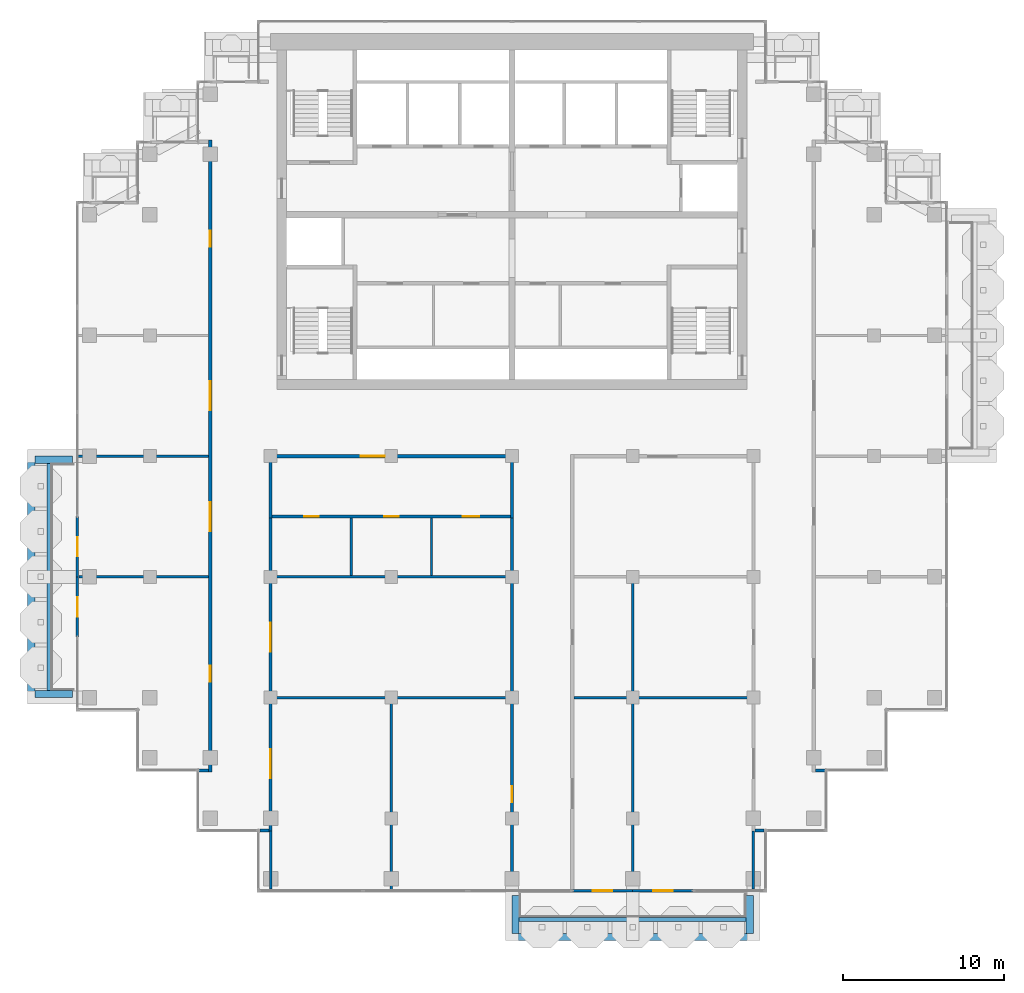
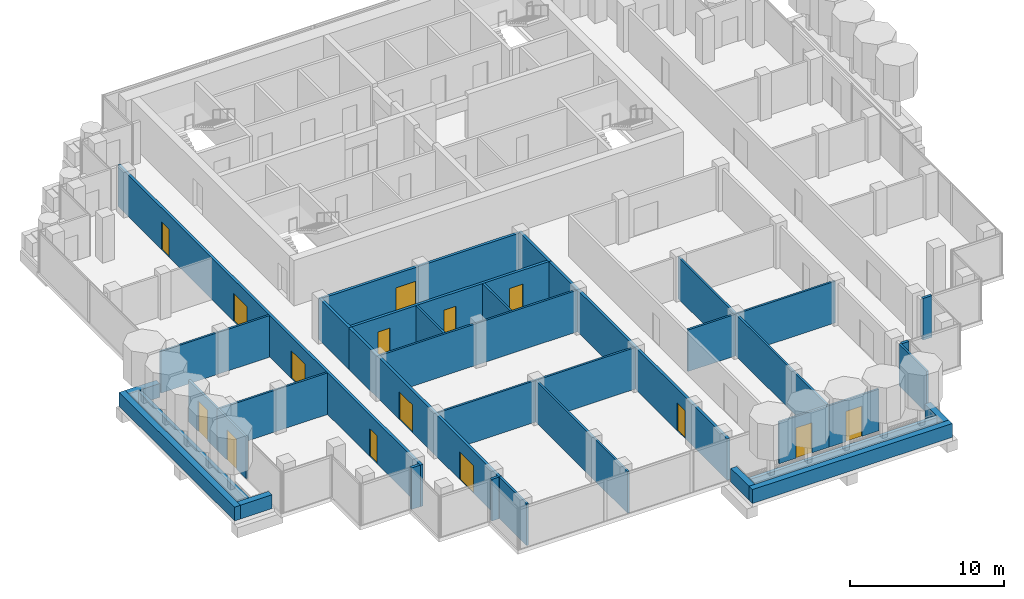
# One storey, part 11 of 18: 34 walls, 15 doors, 15 openings.
"""IFC4 building model written with IfcOpenShell, lengths in metres."""

import ifcopenshell
import ifcopenshell.guid

model = None  # the IFC model being written
_history = None  # IfcOwnerHistory: only IFC2X3 demands one
_inside = {}  # id of a spatial element -> (the spatial element, [elements in it])
_under = {}  # id of a project, library or spatial element -> (it, [spatial elements below it])
_declared = {}  # id of a project -> (the project, [libraries it declares])
_typed = {}  # id of a type object -> (the type object, [elements of that type])
_made_of = {}  # id of a material, layer set ... -> (it, [elements and type objects made of it])


def new_model(schema):
    """Start an empty IFC model of exactly this schema.

    Asked for "IFC4X3", IfcOpenShell would pick the latest addendum, in which some entities
    have other attributes; the version numbers below select the first issue.
    IFC2X3 requires an IfcOwnerHistory on every rooted entity: one is made here for all.
    """
    global model, _history
    if schema == "IFC4X3":
        model = ifcopenshell.file(schema_version=(4, 3, 0, 0))
    else:
        model = ifcopenshell.file(schema=schema)
    _inside.clear()
    _under.clear()
    _declared.clear()
    _typed.clear()
    _made_of.clear()
    _history = None
    if model.schema == "IFC2X3":
        org = make("IfcOrganization", Name="unknown")
        user = make(
            "IfcPersonAndOrganization",
            ThePerson=make("IfcPerson", FamilyName="unknown"),
            TheOrganization=org,
        )
        app = make(
            "IfcApplication",
            ApplicationDeveloper=org,
            Version="unknown",
            ApplicationFullName="unknown",
            ApplicationIdentifier="unknown",
        )
        _history = make(
            "IfcOwnerHistory",
            OwningUser=user,
            OwningApplication=app,
            ChangeAction="ADDED",
            CreationDate=0,
        )
    return model


def make(cls, **values):
    """One entity of the class cls with the attributes given. An attribute that is None is left unset."""
    return model.create_entity(
        cls, **{name: value for name, value in values.items() if value is not None}
    )


def rooted(cls, **values):
    """An entity with a GlobalId (a new one), such as an element, a storey or a relation."""
    return make(cls, GlobalId=ifcopenshell.guid.new(), OwnerHistory=_history, **values)


def si_unit(unit_type, name, prefix=None):
    """IfcSIUnit, for example si_unit("LENGTHUNIT", "METRE", prefix="MILLI")."""
    return make("IfcSIUnit", UnitType=unit_type, Prefix=prefix, Name=name)


def assignment(units):
    """IfcUnitAssignment: the units of a project."""
    return None if units is None else make("IfcUnitAssignment", Units=units)


def point(xyz):
    """IfcCartesianPoint."""
    return None if xyz is None else make("IfcCartesianPoint", Coordinates=xyz)


def direction(xyz):
    """IfcDirection."""
    return None if xyz is None else make("IfcDirection", DirectionRatios=xyz)


def frame(location, z_axis=None, x_axis=None):
    """IfcAxis2Placement3D, a coordinate frame: its origin and axes. An axis left out is left unset."""
    return make(
        "IfcAxis2Placement3D",
        Location=point(location),
        Axis=direction(z_axis),
        RefDirection=direction(x_axis),
    )


def frame_2d(location, x_axis=None):
    """IfcAxis2Placement2D, a coordinate frame in the plane: its origin and x axis."""
    return make(
        "IfcAxis2Placement2D", Location=point(location), RefDirection=direction(x_axis)
    )


def origin():
    """The frame at (0, 0, 0) with its axes left unset."""
    return frame((0.0, 0.0, 0.0))


def place(relative_to, where):
    """IfcLocalPlacement: puts the frame where relative to a parent placement (None: the world)."""
    return make(
        "IfcLocalPlacement", PlacementRelTo=relative_to, RelativePlacement=where
    )


def context(
    kind, dimensions, precision=None, world=None, true_north=None, identifier=None
):
    """IfcGeometricRepresentationContext, for example the 3D "Model" context."""
    return make(
        "IfcGeometricRepresentationContext",
        ContextIdentifier=identifier,
        ContextType=kind,
        CoordinateSpaceDimension=dimensions,
        Precision=precision,
        WorldCoordinateSystem=world,
        TrueNorth=true_north,
    )


def subcontext(parent, identifier, kind, view, scale=None):
    """IfcGeometricRepresentationSubContext, for example "Body" below "Model"."""
    return make(
        "IfcGeometricRepresentationSubContext",
        ContextIdentifier=identifier,
        ContextType=kind,
        ParentContext=parent,
        TargetScale=scale,
        TargetView=view,
    )


def project(units=None, contexts=None):
    """IfcProject with its units and contexts."""
    return rooted(
        "IfcProject",
        Name="project",
        RepresentationContexts=contexts,
        UnitsInContext=assignment(units),
    )


def spatial(cls, under=None, at=None, **own):
    """A site, building, storey or space (cls), placed at a placement, below another one or the project."""
    s = rooted(cls, ObjectPlacement=at, **own)
    if under is not None:
        _under.setdefault(under.id(), (under, []))[1].append(s)
    return s


def profile(cls, at=None, kind="AREA", **sizes):
    """A parametric profile (cls). Its sizes go by their IFC names, for example OverallWidth=200.0."""
    return make(cls, ProfileType=kind, Position=at, **sizes)


def rectangle(**sizes):
    """IfcRectangleProfileDef."""
    return profile("IfcRectangleProfileDef", **sizes)


def extrude(swept, where, along, depth):
    """IfcExtrudedAreaSolid: the profile swept, set in the frame where, extruded along a direction by depth."""
    return make(
        "IfcExtrudedAreaSolid",
        SweptArea=swept,
        Position=where,
        ExtrudedDirection=direction(along),
        Depth=depth,
    )


def shape(context_of_items, identifier, shape_type, items):
    """IfcShapeRepresentation: the items that make up one representation, for example the "Body"."""
    return make(
        "IfcShapeRepresentation",
        ContextOfItems=context_of_items,
        RepresentationIdentifier=identifier,
        RepresentationType=shape_type,
        Items=items,
    )


def material(Name=None, Category=None):
    """IfcMaterial."""
    return make("IfcMaterial", Name=Name, Category=Category)


def layer(
    of_material, thickness, ventilated=None, Name=None, Category=None, Priority=None
):
    """IfcMaterialLayer: one layer of a wall or slab, of a material (None: an air gap)."""
    return make(
        "IfcMaterialLayer",
        Material=of_material,
        LayerThickness=thickness,
        IsVentilated=ventilated,
        Name=Name,
        Category=Category,
        Priority=Priority,
    )


def layer_set(layers, Name=None):
    """IfcMaterialLayerSet."""
    return make("IfcMaterialLayerSet", MaterialLayers=layers, LayerSetName=Name)


def made_of(thing, what):
    """Note that an element or type object is made of a material, layer set ...; save() writes the relation."""
    if what is not None:
        _made_of.setdefault(what.id(), (what, []))[1].append(thing)
    return thing


def type_object(cls, material=None, **own):
    """A type object (cls), such as IfcWallType, which elements share."""
    return made_of(rooted(cls, **own), material)


def element(
    cls,
    number,
    at=None,
    inside=None,
    cuts=None,
    type_object=None,
    material=None,
    context=None,
    identifier="Body",
    shape_type=None,
    held_by="IfcProductDefinitionShape",
    body=None,
    shapes=None,
    **own,
):
    """One element of the class cls, such as IfcWall. Its Tag is "e" and its number.

    at: its placement. inside: the storey or other place that contains it. cuts: it is an
    opening in that element (IfcRelVoidsElement). A single representation is given by context,
    identifier, shape_type and body (its items); several are given by shapes. held_by: the class
    of the entity that holds the representations. save() writes the other relations.
    """
    e = rooted(cls, Tag="e%d" % number, ObjectPlacement=at, **own)
    if body is not None:
        shapes = [shape(context, identifier, shape_type, body)]
    if shapes is not None:
        e.Representation = make(held_by, Representations=shapes)
    if inside is not None:
        _inside.setdefault(inside.id(), (inside, []))[1].append(e)
    if cuts is not None:
        rooted(
            "IfcRelVoidsElement", RelatingBuildingElement=cuts, RelatedOpeningElement=e
        )
    if type_object is not None:
        _typed.setdefault(type_object.id(), (type_object, []))[1].append(e)
    return made_of(e, material)


def fill(opening, filler):
    """IfcRelFillsElement: the door or window that sits in an opening."""
    return rooted(
        "IfcRelFillsElement",
        RelatingOpeningElement=opening,
        RelatedBuildingElement=filler,
    )


def aggregate(whole, parts):
    """IfcRelAggregates: a whole, such as a stair, and the parts it consists of."""
    return rooted("IfcRelAggregates", RelatingObject=whole, RelatedObjects=parts)


def save(model, path):
    """Write the relations noted so far, then the file.

    IfcRelAggregates (storeys below a building ...), IfcRelContainedInSpatialStructure (elements
    in a storey), IfcRelDefinesByType, IfcRelAssociatesMaterial and IfcRelDeclares: one each for
    every whole, place, type object, material and project.
    """
    for whole, parts in _under.values():
        aggregate(whole, parts)
    for where, things in _inside.values():
        rooted(
            "IfcRelContainedInSpatialStructure",
            RelatedElements=things,
            RelatingStructure=where,
        )
    for kind, things in _typed.values():
        rooted("IfcRelDefinesByType", RelatedObjects=things, RelatingType=kind)
    for what, things in _made_of.values():
        rooted("IfcRelAssociatesMaterial", RelatedObjects=things, RelatingMaterial=what)
    for by, libraries in _declared.values():
        rooted("IfcRelDeclares", RelatingContext=by, RelatedDefinitions=libraries)
    model.write(path)


model = new_model("IFC4")

# Units and contexts
model_context = context("Model", 3, precision=1e-05, world=origin(), true_north=direction((0.0, 1.0)))
body_context = subcontext(model_context, "Body", "Model", "MODEL_VIEW")
ifc_project = project(units=[si_unit("LENGTHUNIT", "METRE"), si_unit("AREAUNIT", "SQUARE_METRE"), si_unit("VOLUMEUNIT", "CUBIC_METRE"), si_unit("PLANEANGLEUNIT", "RADIAN"), si_unit("MASSUNIT", "GRAM", prefix="KILO")], contexts=[model_context])

# Site, building, storey
site_placement = place(None, origin())
site = spatial("IfcSite", under=ifc_project, at=site_placement, CompositionType="ELEMENT")
building_placement = place(site_placement, origin())
building = spatial("IfcBuilding", under=site, at=building_placement, Name="Pilkhan Gate Tower", CompositionType="ELEMENT")
storey_placement = place(building_placement, frame((0.0, 0.0, 231.89990234375)))
storey = spatial("IfcBuildingStorey", under=building, at=storey_placement, Name="L60", CompositionType="ELEMENT", Elevation=231.89990234375)

# Walls
ifc_material_1 = material(Name="Concrete C40/50", Category="concrete")
ifc_layer_1 = layer(ifc_material_1, 0.25)
ifc_layer_set_1 = layer_set([ifc_layer_1], Name="Balcony planter BP250")
wall_type_1 = type_object("IfcWallType", Name="Balcony planter BP250", PredefinedType="USERDEFINED", material=ifc_layer_set_1)
for number, where, z_axis, x_axis, name in (
    (1, (75.449951171875, 38.72509765625, 0.0), (0.0, 0.0, 1.0), (1.0, 0.0, 0.0), "Balcony planter L60 S"),
    (2, (46.22509765625, 52.949951171875, 0.0), (0.0, 0.0, 1.0), (0.0, 1.0, 0.0), "Balcony planter L60 W"),
):
    element("IfcWall", number, at=place(storey_placement, frame(where, z_axis=z_axis, x_axis=x_axis)), inside=storey, type_object=wall_type_1, Name=name, ObjectType="BALCONY PLANTER", PredefinedType="USERDEFINED", context=body_context, shape_type="SweptSolid", body=[
        extrude(rectangle(XDim=14.10009765625, YDim=0.25, at=frame_2d((7.050048828125, 0.0))), origin(), (0.0, 0.0, 1.0), 1.0),
    ])
ifc_material_2 = material(Name="Board-marked Concrete C40/50", Category="concrete")
ifc_layer_2 = layer(ifc_material_2, 0.449951171875)
ifc_layer_set_2 = layer_set([ifc_layer_2], Name="Balcony planter lip BL450")
wall_type_2 = type_object("IfcWallType", Name="Balcony planter lip BL450", PredefinedType="USERDEFINED", material=ifc_layer_set_2)
wall_1_placement = place(storey_placement, frame((75.0, 37.625, 0.0), z_axis=(0.0, 0.0, 1.0), x_axis=(1.0, 0.0, 0.0)))
element("IfcWall", 3, at=wall_1_placement, inside=storey, type_object=wall_type_2, Name="Balcony planter L60 S", ObjectType="BALCONY PLANTER", PredefinedType="USERDEFINED", context=body_context, shape_type="SweptSolid", body=[
    extrude(rectangle(XDim=15.0, YDim=0.449951171875, at=frame_2d((7.5, 0.0))), origin(), (0.0, 0.0, 1.0), 1.10009765625),
])
for number, where, z_axis, x_axis, name in (
    (4, (75.22509765625, 40.199951171875, 0.0), (0.0, 0.0, 1.0), (0.0, -1.0, 0.0), "Balcony planter L60 S"),
    (5, (89.77490234375, 40.199951171875, 0.0), (0.0, 0.0, 1.0), (0.0, -1.0, 0.0), "Balcony planter L60 S"),
):
    element("IfcWall", number, at=place(storey_placement, frame(where, z_axis=z_axis, x_axis=x_axis)), inside=storey, type_object=wall_type_2, Name=name, ObjectType="BALCONY PLANTER", PredefinedType="USERDEFINED", context=body_context, shape_type="SweptSolid", body=[
        extrude(rectangle(XDim=2.349853515625, YDim=0.449951171875, at=frame_2d((1.1748046875, 0.0))), origin(), (0.0, 0.0, 1.0), 1.10009765625),
    ])
wall_2_placement = place(storey_placement, frame((45.125, 52.5, 0.0), z_axis=(0.0, 0.0, 1.0), x_axis=(0.0, 1.0, 0.0)))
element("IfcWall", 6, at=wall_2_placement, inside=storey, type_object=wall_type_2, Name="Balcony planter L60 W", ObjectType="BALCONY PLANTER", PredefinedType="USERDEFINED", context=body_context, shape_type="SweptSolid", body=[
    extrude(rectangle(XDim=15.0, YDim=0.449951171875, at=frame_2d((7.5, 0.0))), origin(), (0.0, 0.0, 1.0), 1.10009765625),
])
for number, where, z_axis, x_axis, name in (
    (7, (47.699951171875, 52.72509765625, 0.0), (0.0, 0.0, 1.0), (-1.0, 0.0, 0.0), "Balcony planter L60 W"),
    (8, (47.699951171875, 67.27490234375, 0.0), (0.0, 0.0, 1.0), (-1.0, 0.0, 0.0), "Balcony planter L60 W"),
):
    element("IfcWall", number, at=place(storey_placement, frame(where, z_axis=z_axis, x_axis=x_axis)), inside=storey, type_object=wall_type_2, Name=name, ObjectType="BALCONY PLANTER", PredefinedType="USERDEFINED", context=body_context, shape_type="SweptSolid", body=[
        extrude(rectangle(XDim=2.349853515625, YDim=0.449951171875, at=frame_2d((1.1748046875, 0.0))), origin(), (0.0, 0.0, 1.0), 1.10009765625),
    ])
ifc_material_3 = material(Name="Dense blockwork", Category="masonry")
ifc_layer_3 = layer(ifc_material_3, 0.199951171875)
ifc_layer_set_3 = layer_set([ifc_layer_3], Name="Corridor wall FW200")
wall_type_3 = type_object("IfcWallType", Name="Corridor wall FW200", PredefinedType="PARTITIONING", material=ifc_layer_set_3)
for number, where, z_axis, x_axis, name in (
    (9, (59.35498046875, 44.235107421875, 0.0), (0.0, 0.0, 1.0), (1.0, 0.0, 0.0), "Partition L60"),
    (10, (90.10009765625, 44.235107421875, 0.0), (0.0, 0.0, 1.0), (1.0, 0.0, 0.0), "Partition L60"),
):
    element("IfcWall", number, at=place(storey_placement, frame(where, z_axis=z_axis, x_axis=x_axis)), inside=storey, type_object=wall_type_3, Name=name, PredefinedType="PARTITIONING", context=body_context, shape_type="SweptSolid", body=[
        extrude(rectangle(XDim=0.544921875, YDim=0.199951171875, at=frame_2d((0.2724609375, 0.0))), origin(), (0.0, 0.0, 1.0), 3.300048828125),
    ])
for number, where, z_axis, x_axis, name in (
    (11, (55.485107421875, 47.969970703125, 0.0), (0.0, 0.0, 1.0), (1.0, 0.0, 0.0), "Partition L60"),
    (12, (93.85009765625, 47.969970703125, 0.0), (0.0, 0.0, 1.0), (1.0, 0.0, 0.0), "Partition L60"),
):
    element("IfcWall", number, at=place(storey_placement, frame(where, z_axis=z_axis, x_axis=x_axis)), inside=storey, type_object=wall_type_3, Name=name, PredefinedType="PARTITIONING", context=body_context, shape_type="SweptSolid", body=[
        extrude(rectangle(XDim=0.664794921875, YDim=0.199951171875, at=frame_2d((0.33251953125, 0.0))), origin(), (0.0, 0.0, 1.0), 3.300048828125),
    ])

# Wall, openings, doors
wall_3_placement = place(storey_placement, frame((56.25, 47.8701171875, 0.0), z_axis=(0.0, 0.0, 1.0), x_axis=(0.0, 1.0, 0.0)))
wall_3 = element("IfcWall", 13, at=wall_3_placement, inside=storey, type_object=wall_type_3, Name="Partition L60", PredefinedType="PARTITIONING", context=body_context, shape_type="SweptSolid", body=[
    extrude(rectangle(XDim=39.259765625, YDim=0.199951171875, at=frame_2d((19.6298828125, 0.0))), origin(), (0.0, 0.0, 1.0), 3.300048828125),
])
opening_1_placement = place(wall_3_placement, frame((5.60009765625, 0.0, 0.0)))
opening_1 = element("IfcOpeningElement", 14, at=opening_1_placement, cuts=wall_3, Name="Opening L60-24", PredefinedType="OPENING", context=body_context, shape_type="SweptSolid", body=[
    extrude(rectangle(XDim=1.0, YDim=2.199951171875, at=frame_2d((0.5, 1.10009765625))), frame((0.0, 0.10986328125, 0.0), z_axis=(0.0, -1.0, 0.0), x_axis=(1.0, 0.0, 0.0)), (0.0, 0.0, 1.0), 0.219970703125),
])
opening_2_placement = place(wall_3_placement, frame((14.97998046875, 0.0, 0.0)))
opening_2 = element("IfcOpeningElement", 15, at=opening_2_placement, cuts=wall_3, Name="Opening L60-25", PredefinedType="OPENING", context=body_context, shape_type="SweptSolid", body=[
    extrude(rectangle(XDim=1.800048828125, YDim=2.199951171875, at=frame_2d((0.89990234375, 1.10009765625))), frame((0.0, 0.10986328125, 0.0), z_axis=(0.0, -1.0, 0.0), x_axis=(1.0, 0.0, 0.0)), (0.0, 0.0, 1.0), 0.219970703125),
])
opening_3_placement = place(wall_3_placement, frame((22.47998046875, 0.0, 0.0)))
opening_3 = element("IfcOpeningElement", 16, at=opening_3_placement, cuts=wall_3, Name="Opening L60-26", PredefinedType="OPENING", context=body_context, shape_type="SweptSolid", body=[
    extrude(rectangle(XDim=1.800048828125, YDim=2.199951171875, at=frame_2d((0.89990234375, 1.10009765625))), frame((0.0, 0.10986328125, 0.0), z_axis=(0.0, -1.0, 0.0), x_axis=(1.0, 0.0, 0.0)), (0.0, 0.0, 1.0), 0.219970703125),
])
opening_4_placement = place(wall_3_placement, frame((32.6298828125, 0.0, 0.0)))
opening_4 = element("IfcOpeningElement", 17, at=opening_4_placement, cuts=wall_3, Name="Opening L60-30", PredefinedType="OPENING", context=body_context, shape_type="SweptSolid", body=[
    extrude(rectangle(XDim=1.0, YDim=2.199951171875, at=frame_2d((0.5, 1.10009765625))), frame((0.0, 0.10986328125, 0.0), z_axis=(0.0, -1.0, 0.0), x_axis=(1.0, 0.0, 0.0)), (0.0, 0.0, 1.0), 0.219970703125),
])
ifc_material_4 = material(Name="Timber glazed double door, 30 minute fire resisting", Category="wood")
door_type_1 = type_object("IfcDoorType", Name="Double door D04 1800x2200", OperationType="DOUBLE_DOOR_SINGLE_SWING", PredefinedType="DOOR", material=ifc_material_4)
door_1_placement = place(opening_2_placement, origin())
door_1 = element("IfcDoor", 18, at=door_1_placement, inside=storey, type_object=door_type_1, Name="Double door", OperationType="DOUBLE_DOOR_SINGLE_SWING", OverallHeight=2.199951171875, OverallWidth=1.800048828125, PredefinedType="DOOR", context=body_context, shape_type="SweptSolid", body=[
    extrude(rectangle(XDim=1.800048828125, YDim=2.199951171875, at=frame_2d((0.89990234375, 1.10009765625))), frame((0.0, 0.02490234375, 0.0), z_axis=(0.0, -1.0, 0.0), x_axis=(1.0, 0.0, 0.0)), (0.0, 0.0, 1.0), 0.050048828125),
])
fill(opening_2, door_1)
door_2_placement = place(opening_3_placement, origin())
door_2 = element("IfcDoor", 19, at=door_2_placement, inside=storey, type_object=door_type_1, Name="Double door", OperationType="DOUBLE_DOOR_SINGLE_SWING", OverallHeight=2.199951171875, OverallWidth=1.800048828125, PredefinedType="DOOR", context=body_context, shape_type="SweptSolid", body=[
    extrude(rectangle(XDim=1.800048828125, YDim=2.199951171875, at=frame_2d((0.89990234375, 1.10009765625))), frame((0.0, 0.02490234375, 0.0), z_axis=(0.0, -1.0, 0.0), x_axis=(1.0, 0.0, 0.0)), (0.0, 0.0, 1.0), 0.050048828125),
])
fill(opening_3, door_2)
ifc_material_5 = material(Name="Timber flush door, 30 minute fire resisting", Category="wood")
door_type_2 = type_object("IfcDoorType", Name="Room door D03 1000x2200", OperationType="SINGLE_SWING_LEFT", PredefinedType="DOOR", material=ifc_material_5)
door_3_placement = place(opening_1_placement, origin())
door_3 = element("IfcDoor", 20, at=door_3_placement, inside=storey, type_object=door_type_2, Name="Room door", OperationType="SINGLE_SWING_LEFT", OverallHeight=2.199951171875, OverallWidth=1.0, PredefinedType="DOOR", context=body_context, shape_type="SweptSolid", body=[
    extrude(rectangle(XDim=1.0, YDim=2.199951171875, at=frame_2d((0.5, 1.10009765625))), frame((0.0, 0.02490234375, 0.0), z_axis=(0.0, -1.0, 0.0), x_axis=(1.0, 0.0, 0.0)), (0.0, 0.0, 1.0), 0.050048828125),
])
fill(opening_1, door_3)
door_4_placement = place(opening_4_placement, origin())
door_4 = element("IfcDoor", 21, at=door_4_placement, inside=storey, type_object=door_type_2, Name="Room door", OperationType="SINGLE_SWING_LEFT", OverallHeight=2.199951171875, OverallWidth=1.0, PredefinedType="DOOR", context=body_context, shape_type="SweptSolid", body=[
    extrude(rectangle(XDim=1.0, YDim=2.199951171875, at=frame_2d((0.5, 1.10009765625))), frame((0.0, 0.02490234375, 0.0), z_axis=(0.0, -1.0, 0.0), x_axis=(1.0, 0.0, 0.0)), (0.0, 0.0, 1.0), 0.050048828125),
])
fill(opening_4, door_4)

wall_4_placement = place(storey_placement, frame((60.0, 44.135009765625, 0.0), z_axis=(0.0, 0.0, 1.0), x_axis=(0.0, 1.0, 0.0)))
wall_4 = element("IfcWall", 22, at=wall_4_placement, inside=storey, type_object=wall_type_3, Name="Partition L60", PredefinedType="PARTITIONING", context=body_context, shape_type="SweptSolid", body=[
    extrude(rectangle(XDim=19.614990234375, YDim=0.199951171875, at=frame_2d((9.8076171875, 0.0))), origin(), (0.0, 0.0, 1.0), 3.300048828125),
])
opening_5_placement = place(wall_4_placement, frame((3.35009765625, 0.0, 0.0)))
opening_5 = element("IfcOpeningElement", 23, at=opening_5_placement, cuts=wall_4, Name="Opening L60-16", PredefinedType="OPENING", context=body_context, shape_type="SweptSolid", body=[
    extrude(rectangle(XDim=1.800048828125, YDim=2.199951171875, at=frame_2d((0.89990234375, 1.10009765625))), frame((0.0, 0.10986328125, 0.0), z_axis=(0.0, -1.0, 0.0), x_axis=(1.0, 0.0, 0.0)), (0.0, 0.0, 1.0), 0.219970703125),
])
opening_6_placement = place(wall_4_placement, frame((11.215087890625, 0.0, 0.0)))
opening_6 = element("IfcOpeningElement", 24, at=opening_6_placement, cuts=wall_4, Name="Opening L60-18", PredefinedType="OPENING", context=body_context, shape_type="SweptSolid", body=[
    extrude(rectangle(XDim=1.800048828125, YDim=2.199951171875, at=frame_2d((0.89990234375, 1.10009765625))), frame((0.0, 0.10986328125, 0.0), z_axis=(0.0, -1.0, 0.0), x_axis=(1.0, 0.0, 0.0)), (0.0, 0.0, 1.0), 0.219970703125),
])
door_5_placement = place(opening_5_placement, origin())
door_5 = element("IfcDoor", 25, at=door_5_placement, inside=storey, type_object=door_type_1, Name="Double door", OperationType="DOUBLE_DOOR_SINGLE_SWING", OverallHeight=2.199951171875, OverallWidth=1.800048828125, PredefinedType="DOOR", context=body_context, shape_type="SweptSolid", body=[
    extrude(rectangle(XDim=1.800048828125, YDim=2.199951171875, at=frame_2d((0.89990234375, 1.10009765625))), frame((0.0, 0.02490234375, 0.0), z_axis=(0.0, -1.0, 0.0), x_axis=(1.0, 0.0, 0.0)), (0.0, 0.0, 1.0), 0.050048828125),
])
fill(opening_5, door_5)
door_6_placement = place(opening_6_placement, origin())
door_6 = element("IfcDoor", 26, at=door_6_placement, inside=storey, type_object=door_type_1, Name="Double door", OperationType="DOUBLE_DOOR_SINGLE_SWING", OverallHeight=2.199951171875, OverallWidth=1.800048828125, PredefinedType="DOOR", context=body_context, shape_type="SweptSolid", body=[
    extrude(rectangle(XDim=1.800048828125, YDim=2.199951171875, at=frame_2d((0.89990234375, 1.10009765625))), frame((0.0, 0.02490234375, 0.0), z_axis=(0.0, -1.0, 0.0), x_axis=(1.0, 0.0, 0.0)), (0.0, 0.0, 1.0), 0.050048828125),
])
fill(opening_6, door_6)

# Wall, opening, door
wall_5_placement = place(storey_placement, frame((75.0, 40.485107421875, 0.0), z_axis=(0.0, 0.0, 1.0), x_axis=(0.0, 1.0, 0.0)))
wall_5 = element("IfcWall", 27, at=wall_5_placement, inside=storey, type_object=wall_type_3, Name="Partition L60", PredefinedType="PARTITIONING", context=body_context, shape_type="SweptSolid", body=[
    extrude(rectangle(XDim=23.264892578125, YDim=0.199951171875, at=frame_2d((11.63232421875, 0.0))), origin(), (0.0, 0.0, 1.0), 3.300048828125),
])
opening_7_placement = place(wall_5_placement, frame((5.5, 0.0, 0.0)))
opening_7 = element("IfcOpeningElement", 28, at=opening_7_placement, cuts=wall_5, Name="Opening L60-17", PredefinedType="OPENING", context=body_context, shape_type="SweptSolid", body=[
    extrude(rectangle(XDim=1.0, YDim=2.199951171875, at=frame_2d((0.5, 1.10009765625))), frame((0.0, 0.10986328125, 0.0), z_axis=(0.0, -1.0, 0.0), x_axis=(1.0, 0.0, 0.0)), (0.0, 0.0, 1.0), 0.219970703125),
])
door_7_placement = place(opening_7_placement, origin())
door_7 = element("IfcDoor", 29, at=door_7_placement, inside=storey, type_object=door_type_2, Name="Room door", OperationType="SINGLE_SWING_LEFT", OverallHeight=2.199951171875, OverallWidth=1.0, PredefinedType="DOOR", context=body_context, shape_type="SweptSolid", body=[
    extrude(rectangle(XDim=1.0, YDim=2.199951171875, at=frame_2d((0.5, 1.10009765625))), frame((0.0, 0.02490234375, 0.0), z_axis=(0.0, -1.0, 0.0), x_axis=(1.0, 0.0, 0.0)), (0.0, 0.0, 1.0), 0.050048828125),
])
fill(opening_7, door_7)

ifc_material_6 = material(Name="Pale anodised aluminium, clear laminated glazing", Category="aluminium")
ifc_layer_4 = layer(ifc_material_6, 0.14990234375)
ifc_layer_set_4 = layer_set([ifc_layer_4], Name="Facade infill wall IW150")
wall_type_4 = type_object("IfcWallType", Name="Facade infill wall IW150", PredefinedType="SOLIDWALL", material=ifc_layer_set_4)
wall_6_placement = place(storey_placement, frame((48.0, 56.25, 0.0), z_axis=(0.0, 0.0, 1.0), x_axis=(0.0, 1.0, 0.0)))
wall_6 = element("IfcWall", 30, at=wall_6_placement, inside=storey, type_object=wall_type_4, Name="Infill wall L60 W", PredefinedType="SOLIDWALL", context=body_context, shape_type="SweptSolid", body=[
    extrude(rectangle(XDim=3.75, YDim=0.14990234375, at=frame_2d((1.875, 0.0))), origin(), (0.0, 0.0, 1.0), 3.300048828125),
])
opening_8_placement = place(wall_6_placement, frame((1.27490234375, 0.0, 0.0)))
opening_8 = element("IfcOpeningElement", 31, at=opening_8_placement, cuts=wall_6, Name="Opening D1", PredefinedType="OPENING", context=body_context, shape_type="SweptSolid", body=[
    extrude(rectangle(XDim=1.199951171875, YDim=2.39990234375, at=frame_2d((0.60009765625, 1.199951171875))), frame((0.0, 0.0849609375, 0.0), z_axis=(0.0, -1.0, 0.0), x_axis=(1.0, 0.0, 0.0)), (0.0, 0.0, 1.0), 0.169921875),
])
ifc_material_7 = material(Name="Pale anodised aluminium, clear glazing", Category="aluminium")
door_type_3 = type_object("IfcDoorType", Name="Balcony door D1 1200x2400", OperationType="SINGLE_SWING_LEFT", PredefinedType="DOOR", material=ifc_material_7)
door_8_placement = place(opening_8_placement, origin())
door_8 = element("IfcDoor", 32, at=door_8_placement, inside=storey, type_object=door_type_3, Name="Balcony door L60", OperationType="SINGLE_SWING_LEFT", OverallHeight=2.39990234375, OverallWidth=1.199951171875, PredefinedType="DOOR", context=body_context, shape_type="SweptSolid", body=[
    extrude(rectangle(XDim=1.199951171875, YDim=2.39990234375, at=frame_2d((0.60009765625, 1.199951171875))), frame((0.0, 0.02490234375, 0.0), z_axis=(0.0, -1.0, 0.0), x_axis=(1.0, 0.0, 0.0)), (0.0, 0.0, 1.0), 0.050048828125),
])
fill(opening_8, door_8)

wall_7_placement = place(storey_placement, frame((48.0, 60.0, 0.0), z_axis=(0.0, 0.0, 1.0), x_axis=(0.0, 1.0, 0.0)))
wall_7 = element("IfcWall", 33, at=wall_7_placement, inside=storey, type_object=wall_type_4, Name="Infill wall L60 W", PredefinedType="SOLIDWALL", context=body_context, shape_type="SweptSolid", body=[
    extrude(rectangle(XDim=3.75, YDim=0.14990234375, at=frame_2d((1.875, 0.0))), origin(), (0.0, 0.0, 1.0), 3.300048828125),
])
opening_9_placement = place(wall_7_placement, frame((1.27490234375, 0.0, 0.0)))
opening_9 = element("IfcOpeningElement", 34, at=opening_9_placement, cuts=wall_7, Name="Opening D1", PredefinedType="OPENING", context=body_context, shape_type="SweptSolid", body=[
    extrude(rectangle(XDim=1.199951171875, YDim=2.39990234375, at=frame_2d((0.60009765625, 1.199951171875))), frame((0.0, 0.0849609375, 0.0), z_axis=(0.0, -1.0, 0.0), x_axis=(1.0, 0.0, 0.0)), (0.0, 0.0, 1.0), 0.169921875),
])
door_9_placement = place(opening_9_placement, origin())
door_9 = element("IfcDoor", 35, at=door_9_placement, inside=storey, type_object=door_type_3, Name="Balcony door L60", OperationType="SINGLE_SWING_LEFT", OverallHeight=2.39990234375, OverallWidth=1.199951171875, PredefinedType="DOOR", context=body_context, shape_type="SweptSolid", body=[
    extrude(rectangle(XDim=1.199951171875, YDim=2.39990234375, at=frame_2d((0.60009765625, 1.199951171875))), frame((0.0, 0.02490234375, 0.0), z_axis=(0.0, -1.0, 0.0), x_axis=(1.0, 0.0, 0.0)), (0.0, 0.0, 1.0), 0.050048828125),
])
fill(opening_9, door_9)

wall_8_placement = place(storey_placement, frame((78.75, 40.5, 0.0), z_axis=(0.0, 0.0, 1.0), x_axis=(1.0, 0.0, 0.0)))
wall_8 = element("IfcWall", 36, at=wall_8_placement, inside=storey, type_object=wall_type_4, Name="Infill wall L60 S", PredefinedType="SOLIDWALL", context=body_context, shape_type="SweptSolid", body=[
    extrude(rectangle(XDim=3.75, YDim=0.14990234375, at=frame_2d((1.875, 0.0))), origin(), (0.0, 0.0, 1.0), 3.300048828125),
])
opening_10_placement = place(wall_8_placement, frame((1.27490234375, 0.0, 0.0)))
opening_10 = element("IfcOpeningElement", 37, at=opening_10_placement, cuts=wall_8, Name="Opening D1", PredefinedType="OPENING", context=body_context, shape_type="SweptSolid", body=[
    extrude(rectangle(XDim=1.199951171875, YDim=2.39990234375, at=frame_2d((0.60009765625, 1.199951171875))), frame((0.0, 0.0849609375, 0.0), z_axis=(0.0, -1.0, 0.0), x_axis=(1.0, 0.0, 0.0)), (0.0, 0.0, 1.0), 0.169921875),
])
door_10_placement = place(opening_10_placement, origin())
door_10 = element("IfcDoor", 38, at=door_10_placement, inside=storey, type_object=door_type_3, Name="Balcony door L60", OperationType="SINGLE_SWING_LEFT", OverallHeight=2.39990234375, OverallWidth=1.199951171875, PredefinedType="DOOR", context=body_context, shape_type="SweptSolid", body=[
    extrude(rectangle(XDim=1.199951171875, YDim=2.39990234375, at=frame_2d((0.60009765625, 1.199951171875))), frame((0.0, 0.02490234375, 0.0), z_axis=(0.0, -1.0, 0.0), x_axis=(1.0, 0.0, 0.0)), (0.0, 0.0, 1.0), 0.050048828125),
])
fill(opening_10, door_10)

wall_9_placement = place(storey_placement, frame((82.5, 40.5, 0.0), z_axis=(0.0, 0.0, 1.0), x_axis=(1.0, 0.0, 0.0)))
wall_9 = element("IfcWall", 39, at=wall_9_placement, inside=storey, type_object=wall_type_4, Name="Infill wall L60 S", PredefinedType="SOLIDWALL", context=body_context, shape_type="SweptSolid", body=[
    extrude(rectangle(XDim=3.75, YDim=0.14990234375, at=frame_2d((1.875, 0.0))), origin(), (0.0, 0.0, 1.0), 3.300048828125),
])
opening_11_placement = place(wall_9_placement, frame((1.27490234375, 0.0, 0.0)))
opening_11 = element("IfcOpeningElement", 40, at=opening_11_placement, cuts=wall_9, Name="Opening D1", PredefinedType="OPENING", context=body_context, shape_type="SweptSolid", body=[
    extrude(rectangle(XDim=1.199951171875, YDim=2.39990234375, at=frame_2d((0.60009765625, 1.199951171875))), frame((0.0, 0.0849609375, 0.0), z_axis=(0.0, -1.0, 0.0), x_axis=(1.0, 0.0, 0.0)), (0.0, 0.0, 1.0), 0.169921875),
])
door_11_placement = place(opening_11_placement, origin())
door_11 = element("IfcDoor", 41, at=door_11_placement, inside=storey, type_object=door_type_3, Name="Balcony door L60", OperationType="SINGLE_SWING_LEFT", OverallHeight=2.39990234375, OverallWidth=1.199951171875, PredefinedType="DOOR", context=body_context, shape_type="SweptSolid", body=[
    extrude(rectangle(XDim=1.199951171875, YDim=2.39990234375, at=frame_2d((0.60009765625, 1.199951171875))), frame((0.0, 0.02490234375, 0.0), z_axis=(0.0, -1.0, 0.0), x_axis=(1.0, 0.0, 0.0)), (0.0, 0.0, 1.0), 0.050048828125),
])
fill(opening_11, door_11)

# Wall, openings, doors
ifc_layer_5 = layer(ifc_material_3, 0.199951171875)
ifc_layer_set_5 = layer_set([ifc_layer_5], Name="Lobby wall LW200")
wall_type_5 = type_object("IfcWallType", Name="Lobby wall LW200", PredefinedType="PARTITIONING", material=ifc_layer_set_5)
wall_10_placement = place(storey_placement, frame((60.10009765625, 63.75, 0.0), z_axis=(0.0, 0.0, 1.0), x_axis=(1.0, 0.0, 0.0)))
wall_10 = element("IfcWall", 42, at=wall_10_placement, inside=storey, type_object=wall_type_5, Name="Partition L60", PredefinedType="PARTITIONING", context=body_context, shape_type="SweptSolid", body=[
    extrude(rectangle(XDim=14.7998046875, YDim=0.199951171875, at=frame_2d((7.39990234375, 0.0))), origin(), (0.0, 0.0, 1.0), 3.300048828125),
])
opening_12_placement = place(wall_10_placement, frame((2.0, 0.0, 0.0)))
opening_12 = element("IfcOpeningElement", 43, at=opening_12_placement, cuts=wall_10, Name="Opening L60-13", PredefinedType="OPENING", context=body_context, shape_type="SweptSolid", body=[
    extrude(rectangle(XDim=0.89990234375, YDim=2.199951171875, at=frame_2d((0.449951171875, 1.10009765625))), frame((0.0, 0.10986328125, 0.0), z_axis=(0.0, -1.0, 0.0), x_axis=(1.0, 0.0, 0.0)), (0.0, 0.0, 1.0), 0.219970703125),
])
opening_13_placement = place(wall_10_placement, frame((6.949951171875, 0.0, 0.0)))
opening_13 = element("IfcOpeningElement", 44, at=opening_13_placement, cuts=wall_10, Name="Opening L60-14", PredefinedType="OPENING", context=body_context, shape_type="SweptSolid", body=[
    extrude(rectangle(XDim=0.89990234375, YDim=2.199951171875, at=frame_2d((0.449951171875, 1.10009765625))), frame((0.0, 0.10986328125, 0.0), z_axis=(0.0, -1.0, 0.0), x_axis=(1.0, 0.0, 0.0)), (0.0, 0.0, 1.0), 0.219970703125),
])
opening_14_placement = place(wall_10_placement, frame((11.85009765625, 0.0, 0.0)))
opening_14 = element("IfcOpeningElement", 45, at=opening_14_placement, cuts=wall_10, Name="Opening L60-15", PredefinedType="OPENING", context=body_context, shape_type="SweptSolid", body=[
    extrude(rectangle(XDim=1.0, YDim=2.199951171875, at=frame_2d((0.5, 1.10009765625))), frame((0.0, 0.10986328125, 0.0), z_axis=(0.0, -1.0, 0.0), x_axis=(1.0, 0.0, 0.0)), (0.0, 0.0, 1.0), 0.219970703125),
])
ifc_material_8 = material(Name="Timber flush door, outward opening, 30 minute fire resisting", Category="wood")
door_type_4 = type_object("IfcDoorType", Name="Accessible toilet door D07 1000x2200", OperationType="SINGLE_SWING_LEFT", PredefinedType="DOOR", material=ifc_material_8)
door_12_placement = place(opening_14_placement, origin())
door_12 = element("IfcDoor", 46, at=door_12_placement, inside=storey, type_object=door_type_4, Name="Accessible toilet door", OperationType="SINGLE_SWING_LEFT", OverallHeight=2.199951171875, OverallWidth=1.0, PredefinedType="DOOR", context=body_context, shape_type="SweptSolid", body=[
    extrude(rectangle(XDim=1.0, YDim=2.199951171875, at=frame_2d((0.5, 1.10009765625))), frame((0.0, 0.02490234375, 0.0), z_axis=(0.0, -1.0, 0.0), x_axis=(1.0, 0.0, 0.0)), (0.0, 0.0, 1.0), 0.050048828125),
])
fill(opening_14, door_12)
door_type_5 = type_object("IfcDoorType", Name="Toilet door D06 900x2200", OperationType="SINGLE_SWING_LEFT", PredefinedType="DOOR", material=ifc_material_5)
door_13_placement = place(opening_12_placement, origin())
door_13 = element("IfcDoor", 47, at=door_13_placement, inside=storey, type_object=door_type_5, Name="Toilet door", OperationType="SINGLE_SWING_LEFT", OverallHeight=2.199951171875, OverallWidth=0.89990234375, PredefinedType="DOOR", context=body_context, shape_type="SweptSolid", body=[
    extrude(rectangle(XDim=0.89990234375, YDim=2.199951171875, at=frame_2d((0.449951171875, 1.10009765625))), frame((0.0, 0.02490234375, 0.0), z_axis=(0.0, -1.0, 0.0), x_axis=(1.0, 0.0, 0.0)), (0.0, 0.0, 1.0), 0.050048828125),
])
fill(opening_12, door_13)
door_14_placement = place(opening_13_placement, origin())
door_14 = element("IfcDoor", 48, at=door_14_placement, inside=storey, type_object=door_type_5, Name="Toilet door", OperationType="SINGLE_SWING_LEFT", OverallHeight=2.199951171875, OverallWidth=0.89990234375, PredefinedType="DOOR", context=body_context, shape_type="SweptSolid", body=[
    extrude(rectangle(XDim=0.89990234375, YDim=2.199951171875, at=frame_2d((0.449951171875, 1.10009765625))), frame((0.0, 0.02490234375, 0.0), z_axis=(0.0, -1.0, 0.0), x_axis=(1.0, 0.0, 0.0)), (0.0, 0.0, 1.0), 0.050048828125),
])
fill(opening_13, door_14)

# Wall, opening, door
wall_11_placement = place(storey_placement, frame((60.10009765625, 67.5, 0.0), z_axis=(0.0, 0.0, 1.0), x_axis=(1.0, 0.0, 0.0)))
wall_11 = element("IfcWall", 49, at=wall_11_placement, inside=storey, type_object=wall_type_5, Name="Partition L60", PredefinedType="PARTITIONING", context=body_context, shape_type="SweptSolid", body=[
    extrude(rectangle(XDim=14.7998046875, YDim=0.199951171875, at=frame_2d((7.39990234375, 0.0))), origin(), (0.0, 0.0, 1.0), 3.300048828125),
])
opening_15_placement = place(wall_11_placement, frame((5.5, 0.0, 0.0)))
opening_15 = element("IfcOpeningElement", 50, at=opening_15_placement, cuts=wall_11, Name="Opening L60-12", PredefinedType="OPENING", context=body_context, shape_type="SweptSolid", body=[
    extrude(rectangle(XDim=1.5, YDim=2.199951171875, at=frame_2d((0.75, 1.10009765625))), frame((0.0, 0.10986328125, 0.0), z_axis=(0.0, -1.0, 0.0), x_axis=(1.0, 0.0, 0.0)), (0.0, 0.0, 1.0), 0.219970703125),
])
ifc_material_9 = material(Name="Steel framed glazed door, 60 minute fire resisting", Category="steel")
door_type_6 = type_object("IfcDoorType", Name="Lobby door D09 1500x2200", OperationType="DOUBLE_DOOR_SINGLE_SWING", PredefinedType="DOOR", material=ifc_material_9)
door_15_placement = place(opening_15_placement, origin())
door_15 = element("IfcDoor", 51, at=door_15_placement, inside=storey, type_object=door_type_6, Name="Lobby door", OperationType="DOUBLE_DOOR_SINGLE_SWING", OverallHeight=2.199951171875, OverallWidth=1.5, PredefinedType="DOOR", context=body_context, shape_type="SweptSolid", body=[
    extrude(rectangle(XDim=1.5, YDim=2.199951171875, at=frame_2d((0.75, 1.10009765625))), frame((0.0, 0.02490234375, 0.0), z_axis=(0.0, -1.0, 0.0), x_axis=(1.0, 0.0, 0.0)), (0.0, 0.0, 1.0), 0.050048828125),
])
fill(opening_15, door_15)

# Walls
for number, where, z_axis, x_axis, name in (
    (52, (60.0, 63.64990234375, 0.0), (0.0, 0.0, 1.0), (0.0, 1.0, 0.0), "Partition L60"),
    (53, (75.0, 63.64990234375, 0.0), (0.0, 0.0, 1.0), (0.0, 1.0, 0.0), "Partition L60"),
):
    element("IfcWall", number, at=place(storey_placement, frame(where, z_axis=z_axis, x_axis=x_axis)), inside=storey, type_object=wall_type_5, Name=name, PredefinedType="PARTITIONING", context=body_context, shape_type="SweptSolid", body=[
        extrude(rectangle(XDim=3.9501953125, YDim=0.199951171875, at=frame_2d((1.97509765625, 0.0))), origin(), (0.0, 0.0, 1.0), 3.300048828125),
    ])
ifc_material_10 = material(Name="Blockwork partition, plastered both sides", Category="masonry")
ifc_layer_6 = layer(ifc_material_10, 0.14990234375)
ifc_layer_set_6 = layer_set([ifc_layer_6], Name="Partition PW150")
wall_type_6 = type_object("IfcWallType", Name="Partition PW150", PredefinedType="PARTITIONING", material=ifc_layer_set_6)
wall_12_placement = place(storey_placement, frame((60.10009765625, 52.5, 0.0), z_axis=(0.0, 0.0, 1.0), x_axis=(1.0, 0.0, 0.0)))
element("IfcWall", 54, at=wall_12_placement, inside=storey, type_object=wall_type_6, Name="Partition L60", PredefinedType="PARTITIONING", context=body_context, shape_type="SweptSolid", body=[
    extrude(rectangle(XDim=14.7998046875, YDim=0.14990234375, at=frame_2d((7.39990234375, 0.0))), origin(), (0.0, 0.0, 1.0), 3.300048828125),
])
wall_13_placement = place(storey_placement, frame((78.85009765625, 52.5, 0.0), z_axis=(0.0, 0.0, 1.0), x_axis=(1.0, 0.0, 0.0)))
element("IfcWall", 55, at=wall_13_placement, inside=storey, type_object=wall_type_6, Name="Partition L60", PredefinedType="PARTITIONING", context=body_context, shape_type="SweptSolid", body=[
    extrude(rectangle(XDim=11.0498046875, YDim=0.14990234375, at=frame_2d((5.52490234375, 0.0))), origin(), (0.0, 0.0, 1.0), 3.300048828125),
])
wall_14_placement = place(storey_placement, frame((48.0849609375, 60.0, 0.0), z_axis=(0.0, 0.0, 1.0), x_axis=(1.0, 0.0, 0.0)))
element("IfcWall", 56, at=wall_14_placement, inside=storey, type_object=wall_type_6, Name="Partition L60", PredefinedType="PARTITIONING", context=body_context, shape_type="SweptSolid", body=[
    extrude(rectangle(XDim=8.06494140625, YDim=0.14990234375, at=frame_2d((4.032470703125, 0.0))), origin(), (0.0, 0.0, 1.0), 3.300048828125),
])
wall_15_placement = place(storey_placement, frame((60.10009765625, 60.0, 0.0), z_axis=(0.0, 0.0, 1.0), x_axis=(1.0, 0.0, 0.0)))
element("IfcWall", 57, at=wall_15_placement, inside=storey, type_object=wall_type_6, Name="Partition L60", PredefinedType="PARTITIONING", context=body_context, shape_type="SweptSolid", body=[
    extrude(rectangle(XDim=14.7998046875, YDim=0.14990234375, at=frame_2d((7.39990234375, 0.0))), origin(), (0.0, 0.0, 1.0), 3.300048828125),
])
wall_16_placement = place(storey_placement, frame((47.985107421875, 67.5, 0.0), z_axis=(0.0, 0.0, 1.0), x_axis=(1.0, 0.0, 0.0)))
element("IfcWall", 58, at=wall_16_placement, inside=storey, type_object=wall_type_6, Name="Partition L60", PredefinedType="PARTITIONING", context=body_context, shape_type="SweptSolid", body=[
    extrude(rectangle(XDim=8.164794921875, YDim=0.14990234375, at=frame_2d((4.08251953125, 0.0))), origin(), (0.0, 0.0, 1.0), 3.300048828125),
])
wall_17_placement = place(storey_placement, frame((60.0, 40.60498046875, 0.0), z_axis=(0.0, 0.0, 1.0), x_axis=(0.0, 1.0, 0.0)))
element("IfcWall", 59, at=wall_17_placement, inside=storey, type_object=wall_type_6, Name="Partition L60", PredefinedType="PARTITIONING", context=body_context, shape_type="SweptSolid", body=[
    extrude(rectangle(XDim=3.60009765625, YDim=0.14990234375, at=frame_2d((1.800048828125, 0.0))), origin(), (0.0, 0.0, 1.0), 3.300048828125),
])
wall_18_placement = place(storey_placement, frame((65.0, 60.074951171875, 0.0), z_axis=(0.0, 0.0, 1.0), x_axis=(0.0, 1.0, 0.0)))
element("IfcWall", 60, at=wall_18_placement, inside=storey, type_object=wall_type_6, Name="Partition L60", PredefinedType="PARTITIONING", context=body_context, shape_type="SweptSolid", body=[
    extrude(rectangle(XDim=3.574951171875, YDim=0.14990234375, at=frame_2d((1.78759765625, 0.0))), origin(), (0.0, 0.0, 1.0), 3.300048828125),
])
wall_19_placement = place(storey_placement, frame((67.5, 40.485107421875, 0.0), z_axis=(0.0, 0.0, 1.0), x_axis=(0.0, 1.0, 0.0)))
element("IfcWall", 61, at=wall_19_placement, inside=storey, type_object=wall_type_6, Name="Partition L60", PredefinedType="PARTITIONING", context=body_context, shape_type="SweptSolid", body=[
    extrude(rectangle(XDim=11.93994140625, YDim=0.14990234375, at=frame_2d((5.969970703125, 0.0))), origin(), (0.0, 0.0, 1.0), 3.300048828125),
])
wall_20_placement = place(storey_placement, frame((70.0, 60.074951171875, 0.0), z_axis=(0.0, 0.0, 1.0), x_axis=(0.0, 1.0, 0.0)))
element("IfcWall", 62, at=wall_20_placement, inside=storey, type_object=wall_type_6, Name="Partition L60", PredefinedType="PARTITIONING", context=body_context, shape_type="SweptSolid", body=[
    extrude(rectangle(XDim=3.574951171875, YDim=0.14990234375, at=frame_2d((1.78759765625, 0.0))), origin(), (0.0, 0.0, 1.0), 3.300048828125),
])
wall_21_placement = place(storey_placement, frame((82.5, 40.5849609375, 0.0), z_axis=(0.0, 0.0, 1.0), x_axis=(0.0, 1.0, 0.0)))
element("IfcWall", 63, at=wall_21_placement, inside=storey, type_object=wall_type_6, Name="Partition L60", PredefinedType="PARTITIONING", context=body_context, shape_type="SweptSolid", body=[
    extrude(rectangle(XDim=19.340087890625, YDim=0.14990234375, at=frame_2d((9.669921875, 0.0))), origin(), (0.0, 0.0, 1.0), 3.300048828125),
])
wall_22_placement = place(storey_placement, frame((90.0, 40.60498046875, 0.0), z_axis=(0.0, 0.0, 1.0), x_axis=(0.0, 1.0, 0.0)))
element("IfcWall", 64, at=wall_22_placement, inside=storey, type_object=wall_type_6, Name="Partition L60", PredefinedType="PARTITIONING", context=body_context, shape_type="SweptSolid", body=[
    extrude(rectangle(XDim=3.60009765625, YDim=0.14990234375, at=frame_2d((1.800048828125, 0.0))), origin(), (0.0, 0.0, 1.0), 3.300048828125),
])

save(model, "model.ifc")
